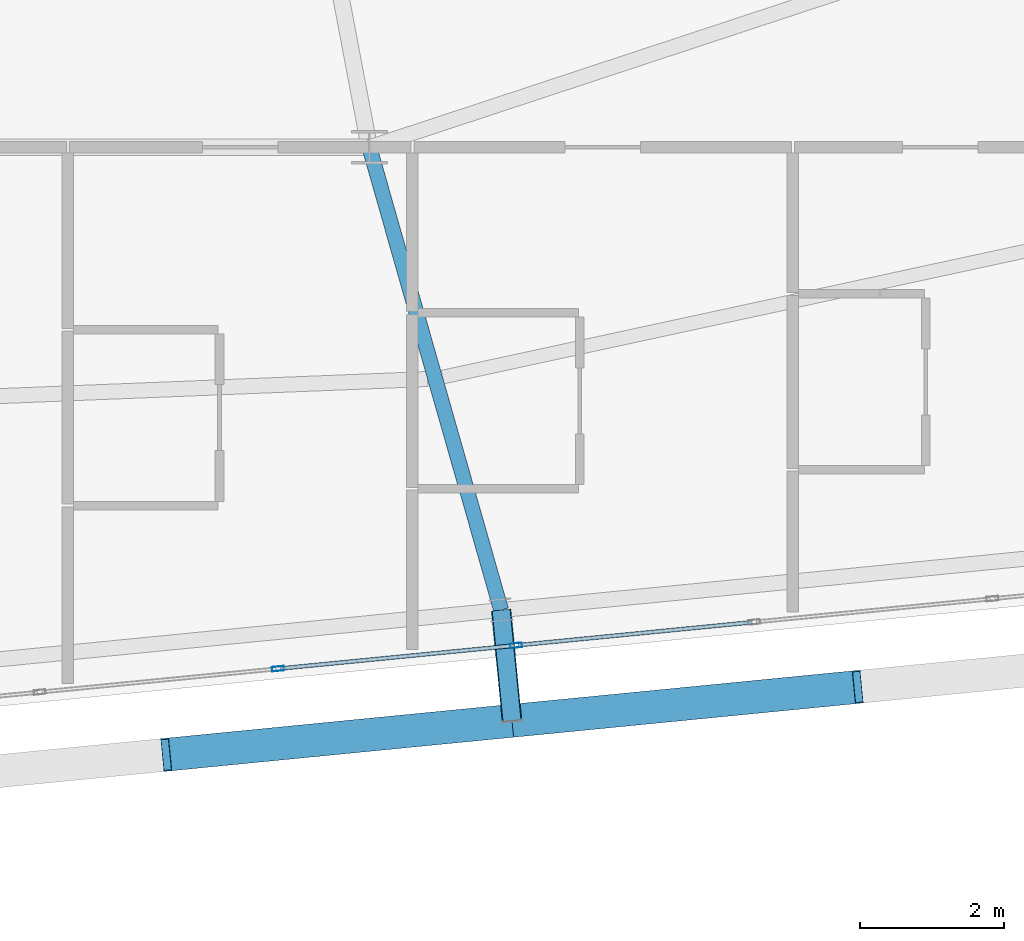
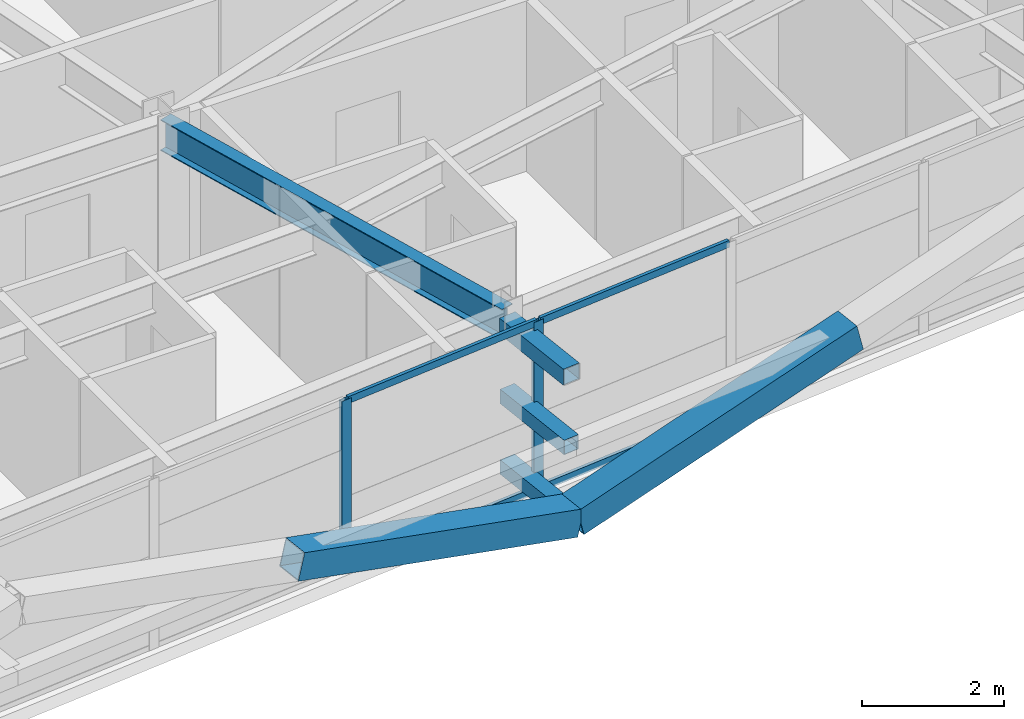
# One storey, part 17 of 53: 11 members, 1 beam, 1 element without a shape of its own.
"""IFC4 building model written with IfcOpenShell, lengths in metres."""

from ifc_helpers import new_model, si_unit, direction, frame, origin, origin_2d, place, context, subcontext, project, spatial, hollow_rectangle, i_section, extrude, source, transform, mapped, material, layer, layer_set, material_profile, profile_set, type_object, element, aggregate, save


model = new_model("IFC4")

# Units and contexts
model_context = context("Model", 3, precision=1e-05, world=origin(), true_north=direction((0.0, 1.0)))
body_context = subcontext(model_context, "Body", "Model", "MODEL_VIEW")
ifc_project = project(units=[si_unit("LENGTHUNIT", "METRE"), si_unit("AREAUNIT", "SQUARE_METRE"), si_unit("VOLUMEUNIT", "CUBIC_METRE"), si_unit("PLANEANGLEUNIT", "RADIAN"), si_unit("MASSUNIT", "GRAM", prefix="KILO")], contexts=[model_context])

# Site, building, storey
site_placement = place(None, origin())
site = spatial("IfcSite", under=ifc_project, at=site_placement, CompositionType="ELEMENT")
building_placement = place(site_placement, origin())
building = spatial("IfcBuilding", under=site, at=building_placement, Name="Taldren Reach Tower", CompositionType="ELEMENT")
storey_placement = place(building_placement, frame((0.0, 0.0, 71.39990234375)))
storey = spatial("IfcBuildingStorey", under=building, at=storey_placement, Name="L21", CompositionType="ELEMENT", Elevation=71.39990234375)

# Members
ifc_material_1 = material(Name="Steel Gr 450 (C450L0)", Category="steel")
ifc_material_profile_1 = material_profile(ifc_material_1, hollow_rectangle(XDim=0.27490234375, YDim=0.27490234375, WallThickness=0.00927734375, at=origin_2d()), Name="275x275x9.3SHS")
ifc_profile_set_1 = profile_set([ifc_material_profile_1], Name="Steel Gr 450 (C450L0)")
member_type_1 = type_object("IfcMemberType", Name="MB-TIE273", PredefinedType="STRUT", material=ifc_profile_set_1)
shared_shape_1 = source(origin(), body_context, "Body", "SweptSolid", [
    extrude(hollow_rectangle(XDim=0.27490234375, YDim=0.27490234375, WallThickness=0.00927734375, at=origin_2d()), origin(), (0.0, 0.0, 1.0), 1.5498046875),
])
member_1_placement = place(storey_placement, frame((43.83544921875, 2.75390625, 2.650146484375), z_axis=(0.097663201064, -0.995219523099, 0.0), x_axis=(0.995219523099, 0.097663201064, 0.0)))
element("IfcMember", 1, at=member_1_placement, inside=storey, type_object=member_type_1, Name="Exoskeleton diaphragm tie strut B2-S4 L21", PredefinedType="STRUT", context=body_context, shape_type="MappedRepresentation", body=[
    mapped(shared_shape_1, transform((0.0, 0.0, 0.0), scale=1.0)),
])
ifc_material_2 = material(Name="Steel Gr 350 (C350L0)", Category="steel")
ifc_material_profile_2 = material_profile(ifc_material_2, hollow_rectangle(XDim=0.25, YDim=0.25, WallThickness=0.010009765625, at=origin_2d()), Name="250x250x10.0SHS")
ifc_profile_set_2 = profile_set([ifc_material_profile_2], Name="Steel Gr 350 (C350L0)")
member_type_2 = type_object("IfcMemberType", Name="MB-POST250", PredefinedType="POST", material=ifc_profile_set_2)
shared_shape_2 = source(origin(), body_context, "Body", "SweptSolid", [
    extrude(hollow_rectangle(XDim=0.25, YDim=0.25, WallThickness=0.010009765625, at=origin_2d()), origin(), (0.0, 0.0, 1.0), 1.5498046875),
])
for number, where, z_axis, x_axis, name in (
    (2, (43.83544921875, 2.75390625, 0.22021484375), (0.097663201064, -0.995219523099, 0.0), (0.995219523099, 0.097663201064, 0.0), "Exoskeleton base diaphragm tie strut B2-S4 L21"),
    (3, (43.83544921875, 2.75390625, 1.43505859375), (0.097663201064, -0.995219523099, 0.0), (0.995219523099, 0.097663201064, 0.0), "Exoskeleton mid-tier diaphragm tie B2-S4 L21"),
):
    element("IfcMember", number, at=place(storey_placement, frame(where, z_axis=z_axis, x_axis=x_axis)), inside=storey, type_object=member_type_2, Name=name, PredefinedType="POST", context=body_context, shape_type="MappedRepresentation", body=[
        mapped(shared_shape_2, transform((0.0, 0.0, 0.0), scale=1.0)),
    ])

# Beam
ifc_material_3 = material(Name="Steel Gr 350 (350PLUS)", Category="steel")
ifc_material_profile_3 = material_profile(ifc_material_3, i_section(OverallWidth=0.208984375, OverallDepth=0.532958984375, WebThickness=0.01025390625, FlangeThickness=0.015625, at=origin_2d()), Name="530UB92.4")
ifc_profile_set_3 = profile_set([ifc_material_profile_3], Name="Steel Gr 350 (350PLUS)")
beam_type = type_object("IfcBeamType", Name="BM-UB530A", PredefinedType="BEAM", material=ifc_profile_set_3)
shared_shape_3 = source(origin(), body_context, "Body", "SweptSolid", [
    extrude(i_section(OverallWidth=0.208984375, OverallDepth=0.532958984375, WebThickness=0.01025390625, FlangeThickness=0.015625, at=origin_2d()), origin(), (0.0, 0.0, 1.0), 6.7021484375),
])
beam_placement = place(storey_placement, frame((42.0, 9.199951171875, 2.66357421875), z_axis=(0.273855026091, -0.961770983491, 0.0), x_axis=(0.961770983491, 0.273855026091, 0.0)))
element("IfcBeam", 4, at=beam_placement, inside=storey, type_object=beam_type, Name="Primary floor girder B2-S4 L21", PredefinedType="BEAM", context=body_context, shape_type="MappedRepresentation", body=[
    mapped(shared_shape_3, transform((0.0, 0.0, 0.0), scale=1.0)),
])

# Members
ifc_material_profile_4 = material_profile(ifc_material_1, hollow_rectangle(XDim=0.4599609375, YDim=0.4599609375, WallThickness=0.01611328125, at=origin_2d()), Name="460x460x16.0SHS")
ifc_profile_set_4 = profile_set([ifc_material_profile_4], Name="Steel Gr 450 (C450L0)")
member_type_3 = type_object("IfcMemberType", Name="MB-EXO457", PredefinedType="BRACE", material=ifc_profile_set_4)
shared_shape_4 = source(origin(), body_context, "Body", "SweptSolid", [
    extrude(hollow_rectangle(XDim=0.4599609375, YDim=0.4599609375, WallThickness=0.01611328125, at=origin_2d()), origin(), (0.0, 0.0, 1.0), 4.990234375),
])
for number, where, z_axis, x_axis, name in (
    (5, (43.98681640625, 1.21142578125, 0.22021484375), (-0.965282554799, -0.094669120301, 0.243448859234), (0.097605711627, -0.995225162995, 0.0), "Exoskeleton Diagrid Brace B2-S3 L21"),
    (6, (43.98681640625, 1.21142578125, 0.22021484375), (0.965287024526, 0.094620633828, 0.24344998652), (-0.097555749586, 0.995230061706, 0.0), "Exoskeleton Diagrid Brace B2-S4 L21"),
):
    element("IfcMember", number, at=place(storey_placement, frame(where, z_axis=z_axis, x_axis=x_axis)), inside=storey, type_object=member_type_3, Name=name, PredefinedType="BRACE", context=body_context, shape_type="MappedRepresentation", body=[
        mapped(shared_shape_4, transform((0.0, 0.0, 0.0), scale=1.0)),
    ])

# Curtain wall, members
ifc_material_4 = material(Name="Aluminium and Low-E Glass Unitised System", Category="aluminium")
ifc_layer = layer(ifc_material_4, 0.159912109375)
ifc_layer_set = layer_set([ifc_layer], Name="Aluminium and Low-E Glass Unitised System")
curtain_wall_type = type_object("IfcCurtainWallType", Name="CW-SYS-3", PredefinedType="NOTDEFINED", material=ifc_layer_set)
curtain_wall_placement = place(storey_placement, origin())
curtain_wall = element("IfcCurtainWall", 7, at=curtain_wall_placement, inside=storey, type_object=curtain_wall_type, Name="Unitised curtain wall CW-L21-S", PredefinedType="NOTDEFINED")
ifc_material_5 = material(Name="Anodised Aluminium 6063-T6", Category="aluminium")
ifc_material_profile_5 = material_profile(ifc_material_5, hollow_rectangle(XDim=0.06494140625, YDim=0.1650390625, WallThickness=0.00390625, at=origin_2d()), Name="ALU-165x65x4RHS")
ifc_profile_set_5 = profile_set([ifc_material_profile_5], Name="Anodised Aluminium 6063-T6")
member_type_4 = type_object("IfcMemberType", Name="CW-MUL-165", PredefinedType="MULLION", material=ifc_profile_set_5)
shared_shape_5 = source(origin(), body_context, "Body", "SweptSolid", [
    extrude(hollow_rectangle(XDim=0.06494140625, YDim=0.1650390625, WallThickness=0.00390625, at=origin_2d()), origin(), (0.0, 0.0, 1.0), 2.93017578125),
])
member_2_placement = place(storey_placement, frame((40.72705078125, 1.936767578125, 0.0), z_axis=(0.0, 0.0, 1.0), x_axis=(-0.097582999046, 0.995227390247, 0.0)))
member_2 = element("IfcMember", 8, at=member_2_placement, type_object=member_type_4, Name="CW-3 mullion 9", PredefinedType="MULLION", context=body_context, shape_type="MappedRepresentation", body=[
    mapped(shared_shape_5, transform((0.0, 0.0, 0.0), scale=1.0)),
])
member_3_placement = place(storey_placement, frame((44.044677734375, 2.261962890625, 0.0), z_axis=(0.0, 0.0, 1.0), x_axis=(-0.097582999046, 0.995227390247, 0.0)))
member_3 = element("IfcMember", 9, at=member_3_placement, type_object=member_type_4, Name="CW-3 mullion 10", PredefinedType="MULLION", context=body_context, shape_type="MappedRepresentation", body=[
    mapped(shared_shape_5, transform((0.0, 0.0, 0.0), scale=1.0)),
])
ifc_material_profile_6 = material_profile(ifc_material_5, hollow_rectangle(XDim=0.054931640625, YDim=0.1201171875, WallThickness=0.0029296875, at=origin_2d()), Name="ALU-120x55x3RHS")
ifc_profile_set_6 = profile_set([ifc_material_profile_6], Name="Anodised Aluminium 6063-T6")
member_type_5 = type_object("IfcMemberType", Name="CW-TRN-135", PredefinedType="USERDEFINED", material=ifc_profile_set_6)
shared_shape_6 = source(origin(), body_context, "Body", "SweptSolid", [
    extrude(hollow_rectangle(XDim=0.054931640625, YDim=0.1201171875, WallThickness=0.0029296875, at=origin_2d()), origin(), (0.0, 0.0, 1.0), 3.268310546875),
])
member_4_placement = place(storey_placement, frame((40.759521484375, 1.93994140625, 0.027587890625), z_axis=(0.99522980512, 0.097558367146, 0.0), x_axis=(-0.097558367146, 0.99522980512, 0.0)))
member_4 = element("IfcMember", 10, at=member_4_placement, type_object=member_type_5, Name="CW-3 transom 9.1", ObjectType="TRANSOM", PredefinedType="USERDEFINED", context=body_context, shape_type="MappedRepresentation", body=[
    mapped(shared_shape_6, transform((0.0, 0.0, 0.0), scale=1.0)),
])
member_5_placement = place(storey_placement, frame((40.759521484375, 1.93994140625, 2.902587890625), z_axis=(0.99522980512, 0.097558367146, 0.0), x_axis=(-0.097558367146, 0.99522980512, 0.0)))
member_5 = element("IfcMember", 11, at=member_5_placement, type_object=member_type_5, Name="CW-3 transom 9.2", ObjectType="TRANSOM", PredefinedType="USERDEFINED", context=body_context, shape_type="MappedRepresentation", body=[
    mapped(shared_shape_6, transform((0.0, 0.0, 0.0), scale=1.0)),
])
member_6_placement = place(storey_placement, frame((44.076904296875, 2.26513671875, 0.027587890625), z_axis=(0.99522980512, 0.097558367146, 0.0), x_axis=(-0.097558367146, 0.99522980512, 0.0)))
member_6 = element("IfcMember", 12, at=member_6_placement, type_object=member_type_5, Name="CW-3 transom 10.1", ObjectType="TRANSOM", PredefinedType="USERDEFINED", context=body_context, shape_type="MappedRepresentation", body=[
    mapped(shared_shape_6, transform((0.0, 0.0, 0.0), scale=1.0)),
])
member_7_placement = place(storey_placement, frame((44.076904296875, 2.26513671875, 2.902587890625), z_axis=(0.99522980512, 0.097558367146, 0.0), x_axis=(-0.097558367146, 0.99522980512, 0.0)))
member_7 = element("IfcMember", 13, at=member_7_placement, type_object=member_type_5, Name="CW-3 transom 10.2", ObjectType="TRANSOM", PredefinedType="USERDEFINED", context=body_context, shape_type="MappedRepresentation", body=[
    mapped(shared_shape_6, transform((0.0, 0.0, 0.0), scale=1.0)),
])
aggregate(curtain_wall, [member_2, member_3, member_4, member_5, member_6, member_7])

save(model, "model.ifc")
